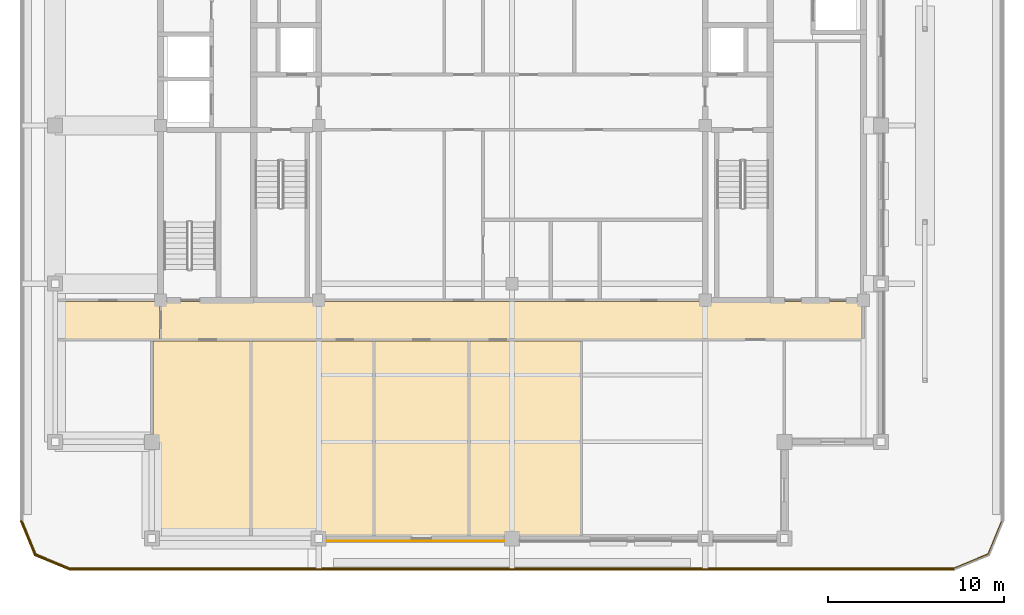
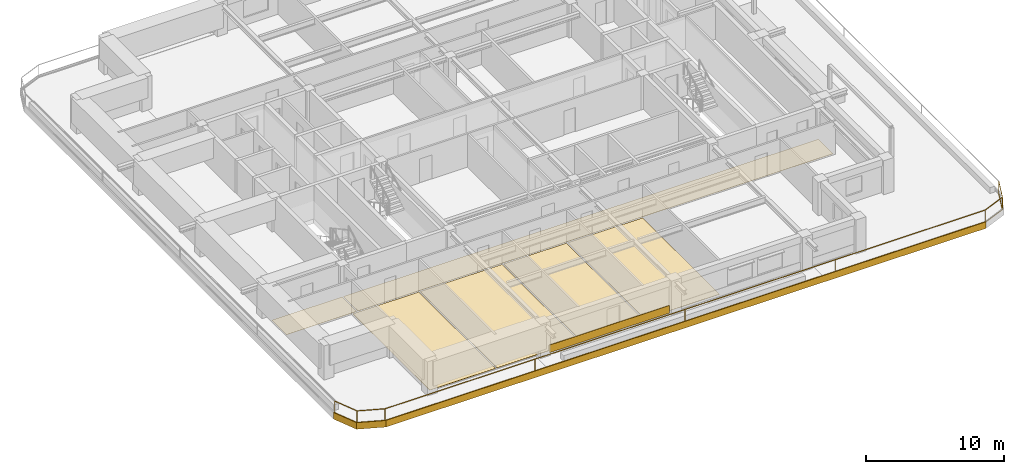
# One storey, part 10 of 14: 10 coverings, 1 railing.
"""IFC4 building model written with IfcOpenShell, lengths in metres."""

from ifc_helpers import new_model, si_unit, direction, frame, frame_2d, origin, origin_2d, place, context, subcontext, project, spatial, polyline, rectangle, outline, extrude, material, layer, layer_set, type_object, element, save


model = new_model("IFC4")

# Units and contexts
model_context = context("Model", 3, precision=1e-05, world=origin(), true_north=direction((0.0, 1.0)))
body_context = subcontext(model_context, "Body", "Model", "MODEL_VIEW")
ifc_project = project(units=[si_unit("LENGTHUNIT", "METRE"), si_unit("AREAUNIT", "SQUARE_METRE"), si_unit("VOLUMEUNIT", "CUBIC_METRE"), si_unit("PLANEANGLEUNIT", "RADIAN"), si_unit("MASSUNIT", "GRAM", prefix="KILO")], contexts=[model_context])

# Site, building, storey
site_placement = place(None, origin())
site = spatial("IfcSite", under=ifc_project, at=site_placement, CompositionType="ELEMENT")
building_placement = place(site_placement, origin())
building = spatial("IfcBuilding", under=site, at=building_placement, Name="Zulmaris Gate Convention Tower", CompositionType="ELEMENT")
storey_placement = place(building_placement, frame((0.0, 0.0, 254.429931640625)))
storey = spatial("IfcBuildingStorey", under=building, at=storey_placement, Name="L67", CompositionType="ELEMENT", Elevation=254.429931640625)

# Coverings
ifc_material_1 = material(Name="Precast concrete C40/50", Category="concrete")
ifc_layer_1 = layer(ifc_material_1, 0.0400390625, Name="Precast concrete C40/50")
ifc_layer_set_1 = layer_set([ifc_layer_1], Name="Precast concrete C40/50")
covering_type_1 = type_object("IfcCoveringType", Name="CLAD-SPANDREL-PRECAST", PredefinedType="CLADDING", material=ifc_layer_set_1)
covering_1_placement = place(storey_placement, frame((-10.544921875, -23.64990234375, 0.0), z_axis=(0.0, 0.0, 1.0), x_axis=(1.0, 0.0, 0.0)))
element("IfcCovering", 1, at=covering_1_placement, inside=storey, type_object=covering_type_1, Name="CLD-L67-S-1_0", PredefinedType="CLADDING", context=body_context, shape_type="SweptSolid", body=[
    extrude(rectangle(XDim=10.08984375, YDim=0.0400390625, at=frame_2d((5.044921875, 0.0))), origin(), (0.0, 0.0, 1.0), 0.679931640625),
])
ifc_material_2 = material(Name="White Glazed Architectural Precast Concrete C40/50", Category="concrete")
ifc_layer_2 = layer(ifc_material_2, 0.080078125, Name="White Glazed Architectural Precast Concrete C40/50")
ifc_layer_set_2 = layer_set([ifc_layer_2], Name="White Glazed Architectural Precast Concrete C40/50")
covering_type_2 = type_object("IfcCoveringType", Name="CLAD-TRAY-FASCIA", PredefinedType="CLADDING", material=ifc_layer_set_2)
covering_2_placement = place(storey_placement, frame((-27.962890625, -22.484619140625, -0.465087890625), z_axis=(0.0, 0.0, 1.0), x_axis=(0.382656984709, -0.923890487046, 0.0)))
element("IfcCovering", 2, at=covering_2_placement, inside=storey, type_object=covering_type_2, Name="FSC-L67-TR-00", PredefinedType="CLADDING", context=body_context, shape_type="SweptSolid", body=[
    extrude(rectangle(XDim=2.14306640625, YDim=0.080078125, at=frame_2d((1.071533203125, 0.0))), origin(), (0.0, 0.0, 1.0), 0.5849609375),
])
covering_3_placement = place(storey_placement, frame((-27.16455078125, -24.44287109375, -0.465087890625), z_axis=(0.0, 0.0, 1.0), x_axis=(0.923873803533, -0.382697263049, 0.0)))
element("IfcCovering", 3, at=covering_3_placement, inside=storey, type_object=covering_type_2, Name="FSC-L67-TR-01", PredefinedType="CLADDING", context=body_context, shape_type="SweptSolid", body=[
    extrude(rectangle(XDim=2.142822265625, YDim=0.080078125, at=frame_2d((1.0712890625, 0.0))), origin(), (0.0, 0.0, 1.0), 0.5849609375),
])
covering_4_placement = place(storey_placement, frame((-25.199951171875, -25.260009765625, -0.465087890625), z_axis=(0.0, 0.0, 1.0), x_axis=(1.0, 0.0, 0.0)))
element("IfcCovering", 4, at=covering_4_placement, inside=storey, type_object=covering_type_2, Name="FSC-L67-TR-02", PredefinedType="CLADDING", context=body_context, shape_type="SweptSolid", body=[
    extrude(rectangle(XDim=50.39990234375, YDim=0.080078125, at=frame_2d((25.199951171875, 0.0))), origin(), (0.0, 0.0, 1.0), 0.5849609375),
])
ifc_material_3 = material(Name="Woven Acoustic Wool Carpet Tile")
ifc_layer_3 = layer(ifc_material_3, 0.02001953125, Name="Woven Acoustic Wool Carpet Tile")
ifc_layer_set_3 = layer_set([ifc_layer_3], Name="Woven Acoustic Wool Carpet Tile")
covering_type_3 = type_object("IfcCoveringType", Name="FLR-CARPET-12", PredefinedType="FLOORING", material=ifc_layer_set_3)
covering_5_placement = place(storey_placement, origin())
element("IfcCovering", 5, at=covering_5_placement, inside=storey, type_object=covering_type_3, Name="FLR-L67-R30", PredefinedType="FLOORING", context=body_context, shape_type="SweptSolid", body=[
    extrude(outline(polyline([(-19.93994140625, -12.139892578125), (19.93994140625, -12.139892578125), (19.93994140625, -10.010009765625), (-19.93994140625, -10.010009765625), (-19.93994140625, -12.139892578125)])), origin(), (0.0, 0.0, 1.0), 0.02001953125),
])
covering_6_placement = place(storey_placement, origin())
element("IfcCovering", 6, at=covering_6_placement, inside=storey, type_object=covering_type_3, Name="FLR-L67-R36", PredefinedType="FLOORING", context=body_context, shape_type="SweptSolid", body=[
    extrude(outline(polyline([(-20.43994140625, -23.43994140625), (-14.909912109375, -23.43994140625), (-14.909912109375, -12.260009765625), (-20.43994140625, -12.260009765625), (-20.43994140625, -23.43994140625)])), origin(), (0.0, 0.0, 1.0), 0.02001953125),
])
covering_7_placement = place(storey_placement, origin())
element("IfcCovering", 7, at=covering_7_placement, inside=storey, type_object=covering_type_3, Name="FLR-L67-R37", PredefinedType="FLOORING", context=body_context, shape_type="SweptSolid", body=[
    extrude(outline(polyline([(-14.7900390625, -23.43994140625), (-7.909912109375, -23.43994140625), (-7.909912109375, -12.260009765625), (-14.7900390625, -12.260009765625), (-14.7900390625, -23.43994140625)])), origin(), (0.0, 0.0, 1.0), 0.02001953125),
])
covering_8_placement = place(storey_placement, origin())
element("IfcCovering", 8, at=covering_8_placement, inside=storey, type_object=covering_type_3, Name="FLR-L67-R38", PredefinedType="FLOORING", context=body_context, shape_type="SweptSolid", body=[
    extrude(outline(polyline([(-7.7900390625, -23.43994140625), (-2.510009765625, -23.43994140625), (-2.510009765625, -12.260009765625), (-7.7900390625, -12.260009765625), (-7.7900390625, -23.43994140625)])), origin(), (0.0, 0.0, 1.0), 0.02001953125),
])
covering_9_placement = place(storey_placement, origin())
element("IfcCovering", 9, at=covering_9_placement, inside=storey, type_object=covering_type_3, Name="FLR-L67-R39", PredefinedType="FLOORING", context=body_context, shape_type="SweptSolid", body=[
    extrude(outline(polyline([(-2.389892578125, -23.43994140625), (3.889892578125, -23.43994140625), (3.889892578125, -12.260009765625), (-2.389892578125, -12.260009765625), (-2.389892578125, -23.43994140625)])), origin(), (0.0, 0.0, 1.0), 0.02001953125),
])
covering_10_placement = place(storey_placement, origin())
element("IfcCovering", 10, at=covering_10_placement, inside=storey, type_object=covering_type_3, Name="FLR-L67-R50", PredefinedType="FLOORING", context=body_context, shape_type="SweptSolid", body=[
    extrude(outline(polyline([(-25.93994140625, -12.139892578125), (-20.06005859375, -12.139892578125), (-20.06005859375, -10.010009765625), (-25.93994140625, -10.010009765625), (-25.93994140625, -12.139892578125)])), origin(), (0.0, 0.0, 1.0), 0.02001953125),
])

# Railing
ifc_material_4 = material(Name="Laminated Glass and Stainless Steel", Category="steel")
railing_type = type_object("IfcRailingType", Name="RL-BALC-1150", PredefinedType="BALUSTRADE", material=ifc_material_4)
railing_placement = place(storey_placement, frame((-27.8798828125, -22.5, -0.0400390625)))
element("IfcRailing", 11, at=railing_placement, inside=storey, type_object=railing_type, Name="RL-L67-BALC-S", PredefinedType="BALUSTRADE", context=body_context, shape_type="SweptSolid", body=[
    extrude(rectangle(XDim=0.048095703125, YDim=0.048095703125, at=origin_2d()), frame((0.0, 0.0, 1.1259765625), z_axis=(0.382670664694, -0.92388482095, 0.0), x_axis=(0.92388482095, 0.382670664694, 0.0)), (0.0, 0.0, 1.0), 2.051025390625),
    extrude(rectangle(XDim=0.048095703125, YDim=0.048095703125, at=origin_2d()), frame((0.0, 0.0, 0.02392578125), z_axis=(0.382670664694, -0.92388482095, 0.0), x_axis=(0.92388482095, 0.382670664694, 0.0)), (0.0, 0.0, 1.0), 2.051025390625),
    extrude(rectangle(XDim=0.048095703125, YDim=0.048095703125, at=origin_2d()), frame((0.784912109375, -1.89501953125, 1.1259765625), z_axis=(0.92388482095, -0.382670664694, 0.0), x_axis=(0.382670664694, 0.92388482095, 0.0)), (0.0, 0.0, 1.0), 2.051025390625),
    extrude(rectangle(XDim=0.048095703125, YDim=0.048095703125, at=origin_2d()), frame((0.784912109375, -1.89501953125, 0.02392578125), z_axis=(0.92388482095, -0.382670664694, 0.0), x_axis=(0.382670664694, 0.92388482095, 0.0)), (0.0, 0.0, 1.0), 2.051025390625),
    extrude(rectangle(XDim=0.048095703125, YDim=0.048095703125, at=origin_2d()), frame((2.679931640625, -2.679931640625, 1.1259765625), z_axis=(1.0, 0.0, 0.0), x_axis=(0.0, 1.0, 0.0)), (0.0, 0.0, 1.0), 50.39990234375),
    extrude(rectangle(XDim=0.048095703125, YDim=0.048095703125, at=origin_2d()), frame((2.679931640625, -2.679931640625, 0.02392578125), z_axis=(1.0, 0.0, 0.0), x_axis=(0.0, 1.0, 0.0)), (0.0, 0.0, 1.0), 50.39990234375),
    extrude(rectangle(XDim=0.048095703125, YDim=0.048095703125, at=origin_2d()), frame((53.079833984375, -2.679931640625, 1.1259765625), z_axis=(0.92388482095, 0.382670664694, 0.0), x_axis=(-0.382670664694, 0.92388482095, 0.0)), (0.0, 0.0, 1.0), 2.051025390625),
    extrude(rectangle(XDim=0.048095703125, YDim=0.048095703125, at=origin_2d()), frame((53.079833984375, -2.679931640625, 0.02392578125), z_axis=(0.92388482095, 0.382670664694, 0.0), x_axis=(-0.382670664694, 0.92388482095, 0.0)), (0.0, 0.0, 1.0), 2.051025390625),
    extrude(rectangle(XDim=0.048095703125, YDim=0.048095703125, at=origin_2d()), frame((54.974853515625, -1.89501953125, 1.1259765625), z_axis=(0.382670664694, 0.92388482095, 0.0), x_axis=(-0.92388482095, 0.382670664694, 0.0)), (0.0, 0.0, 1.0), 2.051025390625),
    extrude(rectangle(XDim=0.048095703125, YDim=0.048095703125, at=origin_2d()), frame((54.974853515625, -1.89501953125, 0.02392578125), z_axis=(0.382670664694, 0.92388482095, 0.0), x_axis=(-0.92388482095, 0.382670664694, 0.0)), (0.0, 0.0, 1.0), 2.051025390625),
    extrude(rectangle(XDim=0.0419921875, YDim=0.0419921875, at=origin_2d()), origin(), (0.0, 0.0, 1.0), 1.101806640625),
    extrude(rectangle(XDim=0.0419921875, YDim=0.0419921875, at=origin_2d()), frame((0.784912109375, -1.89501953125, 0.0)), (0.0, 0.0, 1.0), 1.101806640625),
    extrude(rectangle(XDim=0.0419921875, YDim=0.0419921875, at=origin_2d()), frame((2.679931640625, -2.679931640625, 0.0)), (0.0, 0.0, 1.0), 1.101806640625),
    extrude(rectangle(XDim=0.0419921875, YDim=0.0419921875, at=origin_2d()), frame((15.27978515625, -2.679931640625, 0.0)), (0.0, 0.0, 1.0), 1.101806640625),
    extrude(rectangle(XDim=0.0419921875, YDim=0.0419921875, at=origin_2d()), frame((27.8798828125, -2.679931640625, 0.0)), (0.0, 0.0, 1.0), 1.101806640625),
    extrude(rectangle(XDim=0.0419921875, YDim=0.0419921875, at=origin_2d()), frame((40.47998046875, -2.679931640625, 0.0)), (0.0, 0.0, 1.0), 1.101806640625),
    extrude(rectangle(XDim=0.0419921875, YDim=0.0419921875, at=origin_2d()), frame((53.079833984375, -2.679931640625, 0.0)), (0.0, 0.0, 1.0), 1.101806640625),
    extrude(rectangle(XDim=0.0419921875, YDim=0.0419921875, at=origin_2d()), frame((54.974853515625, -1.89501953125, 0.0)), (0.0, 0.0, 1.0), 1.101806640625),
    extrude(rectangle(XDim=0.0419921875, YDim=0.0419921875, at=origin_2d()), frame((55.759765625, 0.0, 0.0)), (0.0, 0.0, 1.0), 1.101806640625),
])

save(model, "model.ifc")
